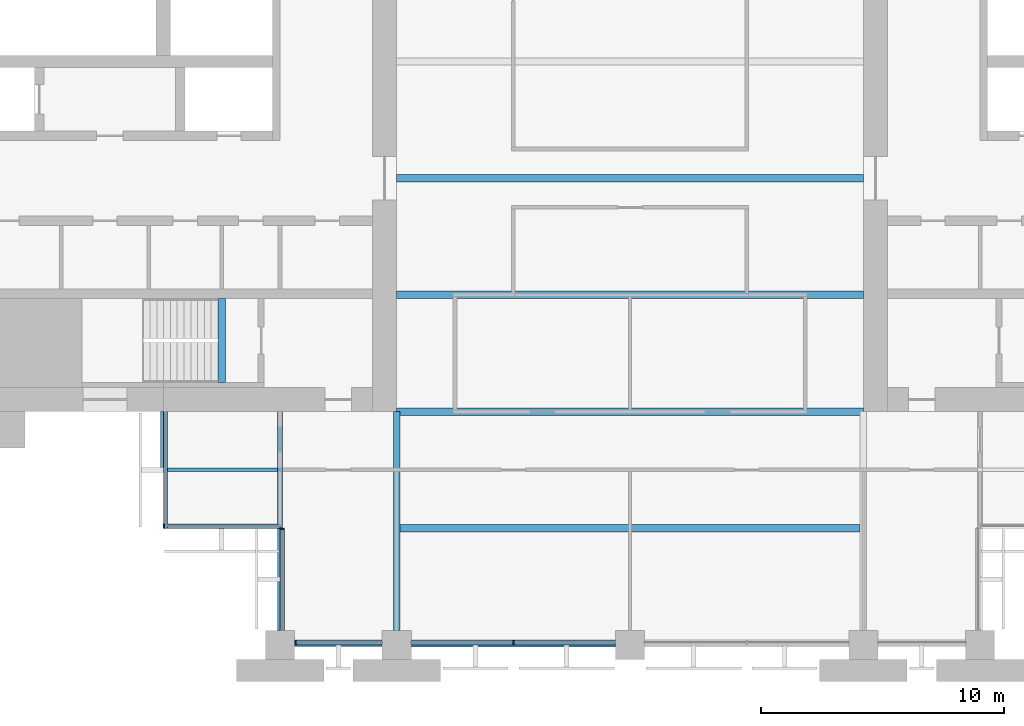
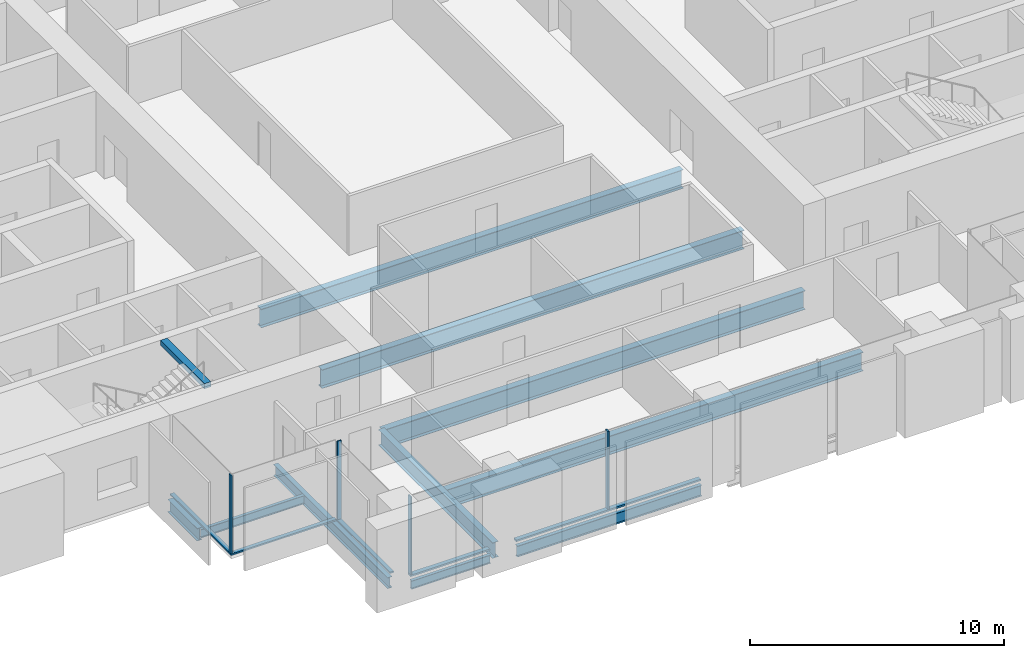
# One storey, part 2 of 14: 11 beams, 9 members, 4 elements without a shape of their own.
"""IFC4 building model written with IfcOpenShell, lengths in metres."""

from ifc_helpers import new_model, si_unit, direction, frame, origin, origin_2d, place, context, subcontext, project, spatial, rectangle, i_section, extrude, material, material_profile, profile_set, type_object, element, aggregate, save


model = new_model("IFC4")

# Units and contexts
model_context = context("Model", 3, precision=1e-05, world=origin(), true_north=direction((0.0, 1.0)))
body_context = subcontext(model_context, "Body", "Model", "MODEL_VIEW")
ifc_project = project(units=[si_unit("LENGTHUNIT", "METRE"), si_unit("AREAUNIT", "SQUARE_METRE"), si_unit("VOLUMEUNIT", "CUBIC_METRE"), si_unit("PLANEANGLEUNIT", "RADIAN"), si_unit("MASSUNIT", "GRAM", prefix="KILO")], contexts=[model_context])

# Site, building, storey
site_placement = place(None, origin())
site = spatial("IfcSite", under=ifc_project, at=site_placement, CompositionType="ELEMENT")
building_placement = place(site_placement, origin())
building = spatial("IfcBuilding", under=site, at=building_placement, Name="Baori Bourse Tower", CompositionType="ELEMENT")
storey_placement = place(building_placement, frame((0.0, 0.0, 112.10009765625)))
storey = spatial("IfcBuildingStorey", under=building, at=storey_placement, Name="L23", CompositionType="ELEMENT", Elevation=112.10009765625)

# Curtain wall, members
ifc_material_1 = material(Name="Pale anodised aluminium", Category="aluminium")
curtain_wall_type_1 = type_object("IfcCurtainWallType", Name="CW1 Curtain wall", PredefinedType="NOTDEFINED", material=ifc_material_1)
curtain_wall_1_placement = place(storey_placement, origin())
curtain_wall_1 = element("IfcCurtainWall", 1, at=curtain_wall_1_placement, inside=storey, type_object=curtain_wall_type_1, Name="Curtain wall CW1 L23 11", PredefinedType="NOTDEFINED")
ifc_material_2 = material(Name="Pale anodised aluminium", Category="aluminium")
ifc_material_profile_1 = material_profile(ifc_material_2, rectangle(XDim=0.199951171875, YDim=0.06005859375, at=origin_2d()), Name="Mullion 60x200")
ifc_profile_set_1 = profile_set([ifc_material_profile_1], Name="Pale anodised aluminium")
member_type_1 = type_object("IfcMemberType", Name="CW1 Curtain wall mullion", PredefinedType="MULLION", material=ifc_profile_set_1)
member_1_placement = place(storey_placement, frame((15.030029296875, 0.10009765625, 0.079833984375), z_axis=(0.0, 0.0, 1.0), x_axis=(0.0, 1.0, 0.0)))
member_1 = element("IfcMember", 2, at=member_1_placement, type_object=member_type_1, Name="Curtain wall CW1 mullion", PredefinedType="MULLION", context=body_context, shape_type="SweptSolid", body=[
    extrude(rectangle(XDim=0.199951171875, YDim=0.06005859375, at=origin_2d()), origin(), (0.0, 0.0, 1.0), 3.760009765625),
])
member_2_placement = place(storey_placement, frame((24.0, 0.10009765625, 0.079833984375), z_axis=(0.0, 0.0, 1.0), x_axis=(0.0, 1.0, 0.0)))
member_2 = element("IfcMember", 3, at=member_2_placement, type_object=member_type_1, Name="Curtain wall CW1 mullion", PredefinedType="MULLION", context=body_context, shape_type="SweptSolid", body=[
    extrude(rectangle(XDim=0.199951171875, YDim=0.06005859375, at=origin_2d()), origin(), (0.0, 0.0, 1.0), 3.760009765625),
])
ifc_material_3 = material(Name="Pale anodised aluminium", Category="aluminium")
ifc_material_profile_2 = material_profile(ifc_material_3, rectangle(XDim=0.199951171875, YDim=0.080078125, at=origin_2d()), Name="Transom 80x200")
ifc_profile_set_2 = profile_set([ifc_material_profile_2], Name="Pale anodised aluminium")
member_type_2 = type_object("IfcMemberType", Name="CW1 Curtain wall transom", PredefinedType="USERDEFINED", material=ifc_profile_set_2)
member_3_placement = place(storey_placement, frame((15.0, 0.10009765625, 0.039794921875), z_axis=(1.0, 0.0, 0.0), x_axis=(0.0, 1.0, 0.0)))
member_3 = element("IfcMember", 4, at=member_3_placement, type_object=member_type_2, Name="Curtain wall CW1 sill rail", ObjectType="TRANSOM", PredefinedType="USERDEFINED", context=body_context, shape_type="SweptSolid", body=[
    extrude(rectangle(XDim=0.199951171875, YDim=0.080078125, at=origin_2d()), origin(), (0.0, 0.0, 1.0), 3.60009765625),
])
member_4_placement = place(storey_placement, frame((19.800048828125, 0.10009765625, 0.039794921875), z_axis=(1.0, 0.0, 0.0), x_axis=(0.0, 1.0, 0.0)))
member_4 = element("IfcMember", 5, at=member_4_placement, type_object=member_type_2, Name="Curtain wall CW1 sill rail", ObjectType="TRANSOM", PredefinedType="USERDEFINED", context=body_context, shape_type="SweptSolid", body=[
    extrude(rectangle(XDim=0.199951171875, YDim=0.080078125, at=origin_2d()), origin(), (0.0, 0.0, 1.0), 8.39990234375),
])
aggregate(curtain_wall_1, [member_3, member_1, member_4, member_2])

# Curtain wall, member
ifc_material_4 = material(Name="Pale anodised aluminium", Category="aluminium")
curtain_wall_type_2 = type_object("IfcCurtainWallType", Name="CW2 Curtain wall", PredefinedType="NOTDEFINED", material=ifc_material_4)
curtain_wall_2_placement = place(storey_placement, origin())
curtain_wall_2 = element("IfcCurtainWall", 6, at=curtain_wall_2_placement, inside=storey, type_object=curtain_wall_type_2, Name="Curtain wall CW2 L23 9", PredefinedType="NOTDEFINED")
ifc_material_5 = material(Name="Pale anodised aluminium", Category="aluminium")
ifc_material_profile_3 = material_profile(ifc_material_5, rectangle(XDim=0.179931640625, YDim=0.054931640625, at=origin_2d()), Name="Mullion 55x180")
ifc_profile_set_3 = profile_set([ifc_material_profile_3], Name="Pale anodised aluminium")
member_type_3 = type_object("IfcMemberType", Name="CW2 Curtain wall mullion", PredefinedType="MULLION", material=ifc_profile_set_3)
member_5_placement = place(storey_placement, frame((9.62744140625, 4.889892578125, 0.06982421875), z_axis=(0.0, 0.0, 1.0), x_axis=(0.0, 1.0, 0.0)))
member_5 = element("IfcMember", 7, at=member_5_placement, type_object=member_type_3, Name="Curtain wall CW2 mullion", PredefinedType="MULLION", context=body_context, shape_type="SweptSolid", body=[
    extrude(rectangle(XDim=0.179931640625, YDim=0.054931640625, at=origin_2d()), origin(), (0.0, 0.0, 1.0), 3.77001953125),
])

curtain_wall_3_placement = place(storey_placement, origin())
curtain_wall_3 = element("IfcCurtainWall", 8, at=curtain_wall_3_placement, inside=storey, type_object=curtain_wall_type_2, Name="Curtain wall CW2 L23 10", PredefinedType="NOTDEFINED")
member_6_placement = place(storey_placement, frame((14.489990234375, 4.7724609375, 0.06982421875), z_axis=(0.0, 0.0, 1.0), x_axis=(1.0, 0.0, 0.0)))
member_6 = element("IfcMember", 9, at=member_6_placement, type_object=member_type_3, Name="Curtain wall CW2 mullion", PredefinedType="MULLION", context=body_context, shape_type="SweptSolid", body=[
    extrude(rectangle(XDim=0.179931640625, YDim=0.054931640625, at=origin_2d()), origin(), (0.0, 0.0, 1.0), 3.77001953125),
])

curtain_wall_4_placement = place(storey_placement, origin())
curtain_wall_4 = element("IfcCurtainWall", 10, at=curtain_wall_4_placement, inside=storey, type_object=curtain_wall_type_2, Name="Curtain wall CW2 L23 8", PredefinedType="NOTDEFINED")
ifc_material_6 = material(Name="Pale anodised aluminium", Category="aluminium")
ifc_material_profile_4 = material_profile(ifc_material_6, rectangle(XDim=0.179931640625, YDim=0.070068359375, at=origin_2d()), Name="Transom 70x180")
ifc_profile_set_4 = profile_set([ifc_material_profile_4], Name="Pale anodised aluminium")
member_type_4 = type_object("IfcMemberType", Name="CW2 Curtain wall transom", PredefinedType="USERDEFINED", material=ifc_profile_set_4)
member_7_placement = place(storey_placement, frame((9.68994140625, 9.60009765625, 0.034912109375), z_axis=(0.0, -1.0, 0.0), x_axis=(1.0, 0.0, 0.0)))
member_7 = element("IfcMember", 11, at=member_7_placement, type_object=member_type_4, Name="Curtain wall CW2 sill rail", ObjectType="TRANSOM", PredefinedType="USERDEFINED", context=body_context, shape_type="SweptSolid", body=[
    extrude(rectangle(XDim=0.179931640625, YDim=0.070068359375, at=origin_2d()), origin(), (0.0, 0.0, 1.0), 4.800048828125),
])
aggregate(curtain_wall_4, [member_7])

# Member
member_8_placement = place(storey_placement, frame((9.60009765625, 4.889892578125, 0.034912109375), z_axis=(1.0, 0.0, 0.0), x_axis=(0.0, 1.0, 0.0)))
member_8 = element("IfcMember", 12, at=member_8_placement, type_object=member_type_4, Name="Curtain wall CW2 sill rail", ObjectType="TRANSOM", PredefinedType="USERDEFINED", context=body_context, shape_type="SweptSolid", body=[
    extrude(rectangle(XDim=0.179931640625, YDim=0.070068359375, at=origin_2d()), origin(), (0.0, 0.0, 1.0), 4.7998046875),
])

aggregate(curtain_wall_2, [member_8, member_5])

member_9_placement = place(storey_placement, frame((14.489990234375, 4.800048828125, 0.034912109375), z_axis=(0.0, -1.0, 0.0), x_axis=(1.0, 0.0, 0.0)))
member_9 = element("IfcMember", 13, at=member_9_placement, type_object=member_type_4, Name="Curtain wall CW2 sill rail", ObjectType="TRANSOM", PredefinedType="USERDEFINED", context=body_context, shape_type="SweptSolid", body=[
    extrude(rectangle(XDim=0.179931640625, YDim=0.070068359375, at=origin_2d()), origin(), (0.0, 0.0, 1.0), 4.199951171875),
])

aggregate(curtain_wall_3, [member_9, member_6])

# Beams
ifc_material_7 = material(Name="Steel A992 Gr 50", Category="steel")
ifc_material_profile_5 = material_profile(ifc_material_7, i_section(OverallWidth=0.227783203125, OverallDepth=0.60205078125, WebThickness=0.010498046875, FlangeThickness=0.014892578125, at=origin_2d()), Name="W24x68")
ifc_profile_set_5 = profile_set([ifc_material_profile_5], Name="Steel A992 Gr 50")
beam_type_1 = type_object("IfcBeamType", Name="Core bracket W24x68", PredefinedType="BEAM", material=ifc_profile_set_5)
beam_1_placement = place(storey_placement, frame((9.60009765625, 7.270263671875, -0.461181640625), z_axis=(0.0, 1.0, 0.0), x_axis=(-1.0, 0.0, 0.0)))
element("IfcBeam", 14, at=beam_1_placement, inside=storey, type_object=beam_type_1, Name="Core bracket L23", PredefinedType="BEAM", context=body_context, shape_type="SweptSolid", body=[
    extrude(i_section(OverallWidth=0.227783203125, OverallDepth=0.60205078125, WebThickness=0.010498046875, FlangeThickness=0.014892578125, at=origin_2d()), origin(), (0.0, 0.0, 1.0), 2.329833984375),
])
ifc_material_8 = material(Name="Steel A992 Gr 50", Category="steel")
ifc_material_profile_6 = material_profile(ifc_material_8, i_section(OverallWidth=0.140380859375, OverallDepth=0.40380859375, WebThickness=0.007080078125, FlangeThickness=0.01123046875, at=origin_2d()), Name="W16x31")
ifc_profile_set_6 = profile_set([ifc_material_profile_6], Name="Steel A992 Gr 50")
beam_type_2 = type_object("IfcBeamType", Name="Edge beam W16x31", PredefinedType="BEAM", material=ifc_profile_set_6)
beam_2_placement = place(storey_placement, frame((15.0, 0.0, -0.362060546875), z_axis=(1.0, 0.0, 0.0), x_axis=(0.0, 1.0, 0.0)))
element("IfcBeam", 15, at=beam_2_placement, inside=storey, type_object=beam_type_2, Name="Edge beam L23", PredefinedType="BEAM", context=body_context, shape_type="SweptSolid", body=[
    extrude(i_section(OverallWidth=0.140380859375, OverallDepth=0.40380859375, WebThickness=0.007080078125, FlangeThickness=0.01123046875, at=origin_2d()), origin(), (0.0, 0.0, 1.0), 3.60009765625),
])
ifc_material_9 = material(Name="Steel A992 Gr 50", Category="steel")
ifc_material_profile_7 = material_profile(ifc_material_9, i_section(OverallWidth=0.1650390625, OverallDepth=0.52587890625, WebThickness=0.0087890625, FlangeThickness=0.011474609375, at=origin_2d()), Name="W21x44")
ifc_profile_set_7 = profile_set([ifc_material_profile_7], Name="Steel A992 Gr 50")
beam_type_3 = type_object("IfcBeamType", Name="Edge beam W21x44", PredefinedType="BEAM", material=ifc_profile_set_7)
beam_3_placement = place(storey_placement, frame((19.800048828125, 0.0, -0.423095703125), z_axis=(1.0, 0.0, 0.0), x_axis=(0.0, 1.0, 0.0)))
element("IfcBeam", 16, at=beam_3_placement, inside=storey, type_object=beam_type_3, Name="Edge beam L23", PredefinedType="BEAM", context=body_context, shape_type="SweptSolid", body=[
    extrude(i_section(OverallWidth=0.1650390625, OverallDepth=0.52587890625, WebThickness=0.0087890625, FlangeThickness=0.011474609375, at=origin_2d()), origin(), (0.0, 0.0, 1.0), 8.39990234375),
])
ifc_material_10 = material(Name="Steel A992 Gr 50", Category="steel")
ifc_material_profile_8 = material_profile(ifc_material_10, i_section(OverallWidth=0.209228515625, OverallDepth=0.533447265625, WebThickness=0.01025390625, FlangeThickness=0.015625, at=origin_2d()), Name="W21x62")
ifc_profile_set_8 = profile_set([ifc_material_profile_8], Name="Steel A992 Gr 50")
beam_type_4 = type_object("IfcBeamType", Name="Floor beam W21x62", PredefinedType="BEAM", material=ifc_profile_set_8)
beam_4_placement = place(storey_placement, frame((14.39990234375, 0.60009765625, -0.4267578125), z_axis=(0.0, 1.0, 0.0), x_axis=(-1.0, 0.0, 0.0)))
element("IfcBeam", 17, at=beam_4_placement, inside=storey, type_object=beam_type_4, Name="Floor beam L23", PredefinedType="BEAM", context=body_context, shape_type="SweptSolid", body=[
    extrude(i_section(OverallWidth=0.209228515625, OverallDepth=0.533447265625, WebThickness=0.01025390625, FlangeThickness=0.015625, at=origin_2d()), origin(), (0.0, 0.0, 1.0), 9.0),
])
ifc_material_11 = material(Name="Steel A992 Gr 50", Category="steel")
ifc_material_profile_9 = material_profile(ifc_material_11, i_section(OverallWidth=0.3046875, OverallDepth=0.904296875, WebThickness=0.01513671875, FlangeThickness=0.02001953125, at=origin_2d()), Name="W36x135")
ifc_profile_set_9 = profile_set([ifc_material_profile_9], Name="Steel A992 Gr 50")
beam_type_5 = type_object("IfcBeamType", Name="Floor beam W36x135", PredefinedType="BEAM", material=ifc_profile_set_9)
beam_5_placement = place(storey_placement, frame((19.33203125, 4.800048828125, -0.6123046875), z_axis=(1.0, 0.0, 0.0), x_axis=(0.0, 1.0, 0.0)))
element("IfcBeam", 18, at=beam_5_placement, inside=storey, type_object=beam_type_5, Name="Floor beam L23", PredefinedType="BEAM", context=body_context, shape_type="SweptSolid", body=[
    extrude(i_section(OverallWidth=0.3046875, OverallDepth=0.904296875, WebThickness=0.01513671875, FlangeThickness=0.02001953125, at=origin_2d()), origin(), (0.0, 0.0, 1.0), 18.935791015625),
])
for number, where, z_axis, x_axis, name in (
    (19, (19.199951171875, 9.60009765625, -0.6123046875), (1.0, 0.0, 0.0), (0.0, 1.0, 0.0), "Floor beam L23"),
    (20, (19.199951171875, 14.39990234375, -0.6123046875), (1.0, 0.0, 0.0), (0.0, 1.0, 0.0), "Floor beam L23"),
    (21, (19.199951171875, 19.199951171875, -0.6123046875), (1.0, 0.0, 0.0), (0.0, 1.0, 0.0), "Floor beam L23"),
):
    element("IfcBeam", number, at=place(storey_placement, frame(where, z_axis=z_axis, x_axis=x_axis)), inside=storey, type_object=beam_type_5, Name=name, PredefinedType="BEAM", context=body_context, shape_type="SweptSolid", body=[
        extrude(i_section(OverallWidth=0.3046875, OverallDepth=0.904296875, WebThickness=0.01513671875, FlangeThickness=0.02001953125, at=origin_2d()), origin(), (0.0, 0.0, 1.0), 19.199951171875),
    ])
ifc_material_12 = material(Name="Steel A992 Gr 50", Category="steel")
ifc_material_profile_10 = material_profile(ifc_material_12, i_section(OverallWidth=0.26416015625, OverallDepth=0.749267578125, WebThickness=0.011962890625, FlangeThickness=0.015380859375, at=origin_2d()), Name="W30x90")
ifc_profile_set_10 = profile_set([ifc_material_profile_10], Name="Steel A992 Gr 50")
beam_type_6 = type_object("IfcBeamType", Name="Girder W30x90", PredefinedType="BEAM", material=ifc_profile_set_10)
beam_6_placement = place(storey_placement, frame((19.199951171875, 0.60009765625, -0.53466796875), z_axis=(0.0, 1.0, 0.0), x_axis=(-1.0, 0.0, 0.0)))
element("IfcBeam", 22, at=beam_6_placement, inside=storey, type_object=beam_type_6, Name="Girder L23", PredefinedType="BEAM", context=body_context, shape_type="SweptSolid", body=[
    extrude(i_section(OverallWidth=0.26416015625, OverallDepth=0.749267578125, WebThickness=0.011962890625, FlangeThickness=0.015380859375, at=origin_2d()), origin(), (0.0, 0.0, 1.0), 9.0),
])
ifc_material_13 = material(Name="Concrete f'c 50 MPa", Category="concrete")
ifc_material_profile_11 = material_profile(ifc_material_13, rectangle(XDim=0.300048828125, YDim=0.25, at=origin_2d()), Name="RC 300x250")
ifc_profile_set_11 = profile_set([ifc_material_profile_11], Name="Concrete f'c 50 MPa")
beam_type_7 = type_object("IfcBeamType", Name="Stair nib beam RC 300x250", PredefinedType="BEAM", material=ifc_profile_set_11)
beam_7_placement = place(storey_placement, frame((12.0, 10.800048828125, 3.71484375), z_axis=(0.0, 1.0, 0.0), x_axis=(-1.0, 0.0, 0.0)))
element("IfcBeam", 23, at=beam_7_placement, inside=storey, type_object=beam_type_7, Name="Stair WA nib beam L24", PredefinedType="BEAM", context=body_context, shape_type="SweptSolid", body=[
    extrude(rectangle(XDim=0.300048828125, YDim=0.25, at=origin_2d()), origin(), (0.0, 0.0, 1.0), 3.449951171875),
])
ifc_material_14 = material(Name="Steel A992 Gr 50", Category="steel")
ifc_material_profile_12 = material_profile(ifc_material_14, i_section(OverallWidth=0.140380859375, OverallDepth=0.40380859375, WebThickness=0.007080078125, FlangeThickness=0.01123046875, at=origin_2d()), Name="W16x31")
ifc_profile_set_12 = profile_set([ifc_material_profile_12], Name="Steel A992 Gr 50")
beam_type_8 = type_object("IfcBeamType", Name="Trimmer beam W16x31", PredefinedType="BEAM", material=ifc_profile_set_12)
beam_8_placement = place(storey_placement, frame((9.60009765625, 7.199951171875, -0.362060546875), z_axis=(1.0, 0.0, 0.0), x_axis=(0.0, 1.0, 0.0)))
element("IfcBeam", 24, at=beam_8_placement, inside=storey, type_object=beam_type_8, Name="Trimmer beam L23", PredefinedType="BEAM", context=body_context, shape_type="SweptSolid", body=[
    extrude(i_section(OverallWidth=0.140380859375, OverallDepth=0.40380859375, WebThickness=0.007080078125, FlangeThickness=0.01123046875, at=origin_2d()), origin(), (0.0, 0.0, 1.0), 4.6953125),
])

save(model, "model.ifc")
